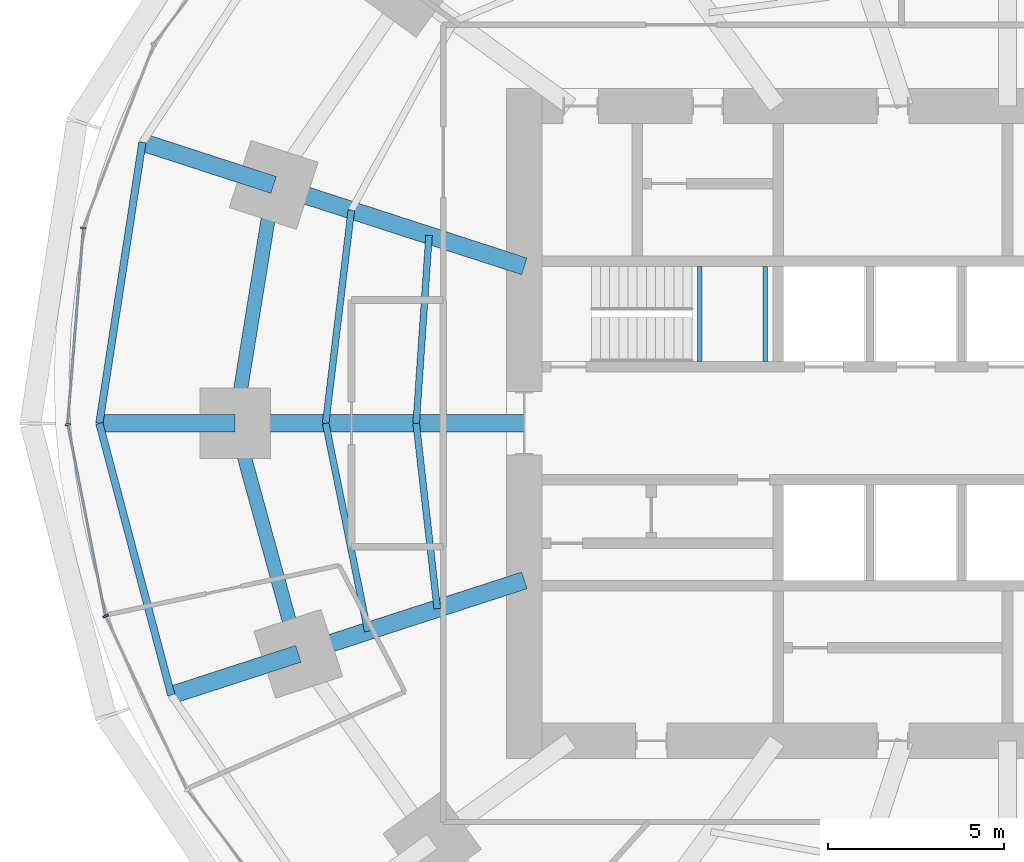
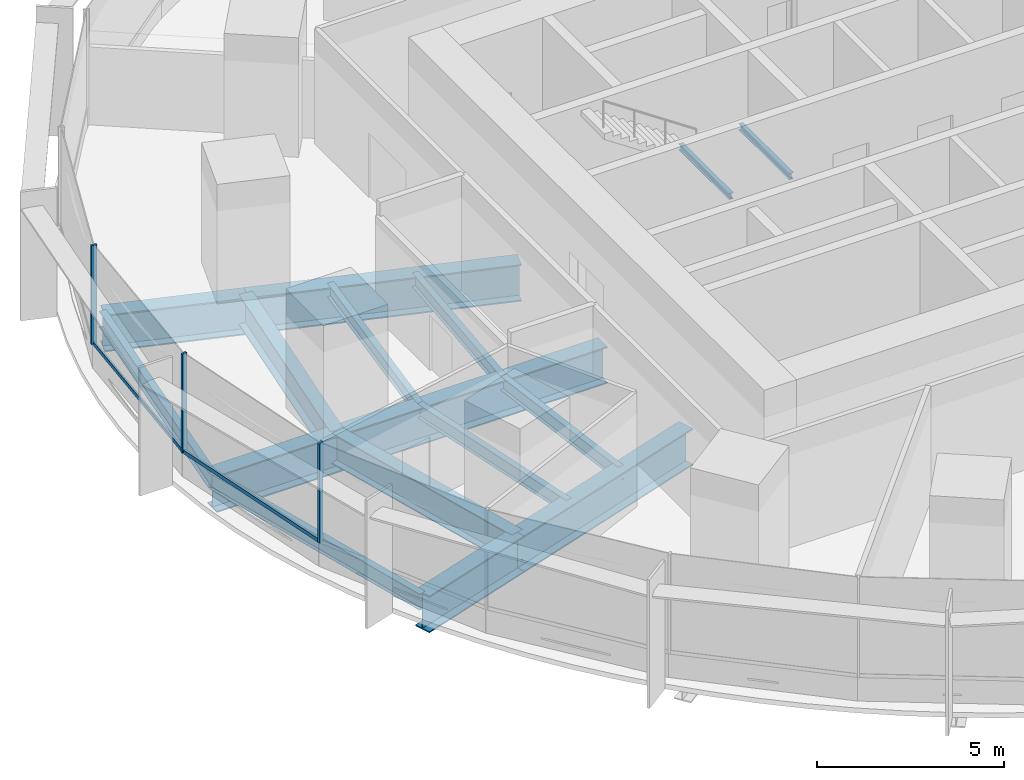
# One storey, part 4 of 15: 16 beams, 5 members, 2 elements without a shape of their own.
"""IFC4 building model written with IfcOpenShell, lengths in metres."""

from ifc_helpers import new_model, si_unit, direction, frame, origin, origin_2d, place, context, subcontext, project, spatial, rectangle, i_section, extrude, material, material_profile, profile_set, type_object, element, aggregate, save


model = new_model("IFC4")

# Units and contexts
model_context = context("Model", 3, precision=1e-05, world=origin(), true_north=direction((0.0, 1.0)))
body_context = subcontext(model_context, "Body", "Model", "MODEL_VIEW")
ifc_project = project(units=[si_unit("LENGTHUNIT", "METRE"), si_unit("AREAUNIT", "SQUARE_METRE"), si_unit("VOLUMEUNIT", "CUBIC_METRE"), si_unit("PLANEANGLEUNIT", "RADIAN"), si_unit("MASSUNIT", "GRAM", prefix="KILO")], contexts=[model_context])

# Site, building, storey
site_placement = place(None, origin())
site = spatial("IfcSite", under=ifc_project, at=site_placement, CompositionType="ELEMENT")
building_placement = place(site_placement, origin())
building = spatial("IfcBuilding", under=site, at=building_placement, Name="Marramba Exchange Tower", CompositionType="ELEMENT")
storey_placement = place(building_placement, frame((0.0, 0.0, 74.199951171875)))
storey = spatial("IfcBuildingStorey", under=building, at=storey_placement, Name="L17", CompositionType="ELEMENT", Elevation=74.199951171875)

# Beams
ifc_material_1 = material(Name="Steel AS/NZS 3679.2 grade 300", Category="steel")
ifc_material_profile_1 = material_profile(ifc_material_1, i_section(OverallWidth=0.5, OverallDepth=1.199951171875, WebThickness=0.01611328125, FlangeThickness=0.0400390625, at=origin_2d()), Name="1200WB455")
ifc_profile_set_1 = profile_set([ifc_material_profile_1], Name="Steel AS/NZS 3679.2 grade 300")
beam_type_1 = type_object("IfcBeamType", Name="Cantilever girder 1200WB455", PredefinedType="BEAM", material=ifc_profile_set_1)
beam_1_placement = place(storey_placement, frame((-20.808349609375, 6.760986328125, -0.760009765625), z_axis=(-0.951058833549, 0.309009862508, 0.0), x_axis=(-0.309009862508, -0.951058833549, 0.0)))
element("IfcBeam", 1, at=beam_1_placement, inside=storey, type_object=beam_type_1, Name="Cantilever girder L17 TC10", PredefinedType="BEAM", context=body_context, shape_type="SweptSolid", body=[
    extrude(i_section(OverallWidth=0.5, OverallDepth=1.199951171875, WebThickness=0.01611328125, FlangeThickness=0.0400390625, at=origin_2d()), origin(), (0.0, 0.0, 1.0), 3.91162109375),
])
beam_2_placement = place(storey_placement, frame((-21.89990234375, 0.0, -0.760009765625), z_axis=(-1.0, 0.0, 0.0), x_axis=(0.0, -1.0, 0.0)))
element("IfcBeam", 2, at=beam_2_placement, inside=storey, type_object=beam_type_1, Name="Cantilever girder L17 TC11", PredefinedType="BEAM", context=body_context, shape_type="SweptSolid", body=[
    extrude(i_section(OverallWidth=0.5, OverallDepth=1.199951171875, WebThickness=0.01611328125, FlangeThickness=0.0400390625, at=origin_2d()), origin(), (0.0, 0.0, 1.0), 3.85009765625),
])
beam_3_placement = place(storey_placement, frame((-20.109375, -6.533935546875, -0.760009765625), z_axis=(-0.951048759501, -0.309040866314, 0.0), x_axis=(0.309040866314, -0.951048759501, 0.0)))
element("IfcBeam", 3, at=beam_3_placement, inside=storey, type_object=beam_type_1, Name="Cantilever girder L17 TC12", PredefinedType="BEAM", context=body_context, shape_type="SweptSolid", body=[
    extrude(i_section(OverallWidth=0.5, OverallDepth=1.199951171875, WebThickness=0.01611328125, FlangeThickness=0.0400390625, at=origin_2d()), origin(), (0.0, 0.0, 1.0), 3.78564453125),
])
ifc_material_2 = material(Name="Steel AS/NZS 3679.1 grade 300", Category="steel")
ifc_material_profile_2 = material_profile(ifc_material_2, i_section(OverallWidth=0.18994140625, OverallDepth=0.4541015625, WebThickness=0.008544921875, FlangeThickness=0.0126953125, FilletRadius=0.011474609375, at=origin_2d()), Name="460UB67.1")
ifc_profile_set_2 = profile_set([ifc_material_profile_2], Name="Steel AS/NZS 3679.1 grade 300")
beam_type_2 = type_object("IfcBeamType", Name="Floor joist 460UB67.1", PredefinedType="JOIST", material=ifc_profile_set_2)
beam_4_placement = place(storey_placement, frame((-16.40283203125, 5.32958984375, -0.386962890625), z_axis=(-0.068096259546, -0.99767875563, 0.0), x_axis=(0.99767875563, -0.068096259546, 0.0)))
element("IfcBeam", 4, at=beam_4_placement, inside=storey, type_object=beam_type_2, Name="Joist L17 bay 10 row 1", PredefinedType="JOIST", context=body_context, shape_type="SweptSolid", body=[
    extrude(i_section(OverallWidth=0.18994140625, OverallDepth=0.4541015625, WebThickness=0.008544921875, FlangeThickness=0.0126953125, FilletRadius=0.011474609375, at=origin_2d()), origin(), (0.0, 0.0, 1.0), 5.342041015625),
])
beam_5_placement = place(storey_placement, frame((-18.60546875, 6.04541015625, -0.386962890625), z_axis=(-0.119523078538, -0.992831422597, 0.0), x_axis=(0.992831422597, -0.119523078538, 0.0)))
element("IfcBeam", 5, at=beam_5_placement, inside=storey, type_object=beam_type_2, Name="Joist L17 bay 10 row 2", PredefinedType="JOIST", context=body_context, shape_type="SweptSolid", body=[
    extrude(i_section(OverallWidth=0.18994140625, OverallDepth=0.4541015625, WebThickness=0.008544921875, FlangeThickness=0.0126953125, FilletRadius=0.011474609375, at=origin_2d()), origin(), (0.0, 0.0, 1.0), 6.089111328125),
])
beam_6_placement = place(storey_placement, frame((-16.7666015625, 0.0, -0.386962890625), z_axis=(0.112888968594, -0.993607609054, 0.0), x_axis=(0.993607609054, 0.112888968594, 0.0)))
element("IfcBeam", 6, at=beam_6_placement, inside=storey, type_object=beam_type_2, Name="Joist L17 bay 11 row 1", PredefinedType="JOIST", context=body_context, shape_type="SweptSolid", body=[
    extrude(i_section(OverallWidth=0.18994140625, OverallDepth=0.4541015625, WebThickness=0.008544921875, FlangeThickness=0.0126953125, FilletRadius=0.011474609375, at=origin_2d()), origin(), (0.0, 0.0, 1.0), 5.28759765625),
])
beam_7_placement = place(storey_placement, frame((-19.333251953125, 0.0, -0.386962890625), z_axis=(0.198489047047, -0.980103105904, 0.0), x_axis=(0.980103105904, 0.198489047047, 0.0)))
element("IfcBeam", 7, at=beam_7_placement, inside=storey, type_object=beam_type_2, Name="Joist L17 bay 11 row 2", PredefinedType="JOIST", context=body_context, shape_type="SweptSolid", body=[
    extrude(i_section(OverallWidth=0.18994140625, OverallDepth=0.4541015625, WebThickness=0.008544921875, FlangeThickness=0.0126953125, FilletRadius=0.011474609375, at=origin_2d()), origin(), (0.0, 0.0, 1.0), 6.013427734375),
])
ifc_material_profile_3 = material_profile(ifc_material_1, i_section(OverallWidth=0.5, OverallDepth=1.199951171875, WebThickness=0.01611328125, FlangeThickness=0.0400390625, at=origin_2d()), Name="1200WB455")
ifc_profile_set_3 = profile_set([ifc_material_profile_3], Name="Steel AS/NZS 3679.2 grade 300")
beam_type_3 = type_object("IfcBeamType", Name="Radial girder 1200WB455", PredefinedType="BEAM", material=ifc_profile_set_3)
beam_8_placement = place(storey_placement, frame((-13.699951171875, 4.451416015625, -0.760009765625), z_axis=(-0.951059990189, 0.309006302624, 0.0), x_axis=(-0.309006302624, -0.951059990189, 0.0)))
element("IfcBeam", 8, at=beam_8_placement, inside=storey, type_object=beam_type_3, Name="Radial girder L17 TC10", PredefinedType="BEAM", context=body_context, shape_type="SweptSolid", body=[
    extrude(i_section(OverallWidth=0.5, OverallDepth=1.199951171875, WebThickness=0.01611328125, FlangeThickness=0.0400390625, at=origin_2d()), origin(), (0.0, 0.0, 1.0), 7.47412109375),
])
beam_9_placement = place(storey_placement, frame((-13.699951171875, 0.0, -0.760009765625), z_axis=(-1.0, 0.0, 0.0), x_axis=(0.0, -1.0, 0.0)))
element("IfcBeam", 9, at=beam_9_placement, inside=storey, type_object=beam_type_3, Name="Radial girder L17 TC11", PredefinedType="BEAM", context=body_context, shape_type="SweptSolid", body=[
    extrude(i_section(OverallWidth=0.5, OverallDepth=1.199951171875, WebThickness=0.01611328125, FlangeThickness=0.0400390625, at=origin_2d()), origin(), (0.0, 0.0, 1.0), 8.199951171875),
])
beam_10_placement = place(storey_placement, frame((-13.699951171875, -4.451416015625, -0.760009765625), z_axis=(-0.951057759669, -0.309013167637, 0.0), x_axis=(0.309013167637, -0.951057759669, 0.0)))
element("IfcBeam", 10, at=beam_10_placement, inside=storey, type_object=beam_type_3, Name="Radial girder L17 TC12", PredefinedType="BEAM", context=body_context, shape_type="SweptSolid", body=[
    extrude(i_section(OverallWidth=0.5, OverallDepth=1.199951171875, WebThickness=0.01611328125, FlangeThickness=0.0400390625, at=origin_2d()), origin(), (0.0, 0.0, 1.0), 6.7392578125),
])
ifc_material_profile_4 = material_profile(ifc_material_1, i_section(OverallWidth=0.39990234375, OverallDepth=1.0, WebThickness=0.01611328125, FlangeThickness=0.031982421875, at=origin_2d()), Name="1000WB322")
ifc_profile_set_4 = profile_set([ifc_material_profile_4], Name="Steel AS/NZS 3679.2 grade 300")
beam_type_4 = type_object("IfcBeamType", Name="Ring beam 1000WB322", PredefinedType="SPANDREL", material=ifc_profile_set_4)
beam_11_placement = place(storey_placement, frame((-20.808349609375, 6.760986328125, -0.659912109375), z_axis=(-0.159384865399, -0.987216523708, 0.0), x_axis=(0.987216523708, -0.159384865399, 0.0)))
element("IfcBeam", 11, at=beam_11_placement, inside=storey, type_object=beam_type_4, Name="Ring beam L17 TC10-TC11", PredefinedType="SPANDREL", context=body_context, shape_type="SweptSolid", body=[
    extrude(i_section(OverallWidth=0.39990234375, OverallDepth=1.0, WebThickness=0.01611328125, FlangeThickness=0.031982421875, at=origin_2d()), origin(), (0.0, 0.0, 1.0), 6.8486328125),
])
beam_12_placement = place(storey_placement, frame((-21.89990234375, 0.0, -0.659912109375), z_axis=(0.264291166956, -0.964442937176, 0.0), x_axis=(0.964442937176, 0.264291166956, 0.0)))
element("IfcBeam", 12, at=beam_12_placement, inside=storey, type_object=beam_type_4, Name="Ring beam L17 TC11-TC12", PredefinedType="SPANDREL", context=body_context, shape_type="SweptSolid", body=[
    extrude(i_section(OverallWidth=0.39990234375, OverallDepth=1.0, WebThickness=0.01611328125, FlangeThickness=0.031982421875, at=origin_2d()), origin(), (0.0, 0.0, 1.0), 6.77490234375),
])
ifc_material_profile_5 = material_profile(ifc_material_2, i_section(OverallWidth=0.208984375, OverallDepth=0.528076171875, WebThickness=0.009521484375, FlangeThickness=0.01318359375, FilletRadius=0.013916015625, at=origin_2d()), Name="530UB82.0")
ifc_profile_set_5 = profile_set([ifc_material_profile_5], Name="Steel AS/NZS 3679.1 grade 300")
beam_type_5 = type_object("IfcBeamType", Name="Slab edge beam 530UB82.0", PredefinedType="SPANDREL", material=ifc_profile_set_5)
beam_13_placement = place(storey_placement, frame((-24.528564453125, 7.9697265625, -0.424072265625), z_axis=(-0.151490591645, -0.988458699513, 0.0), x_axis=(0.988458699513, -0.151490591645, 0.0)))
element("IfcBeam", 13, at=beam_13_placement, inside=storey, type_object=beam_type_5, Name="Slab edge beam L17 TC10-TC11", PredefinedType="SPANDREL", context=body_context, shape_type="SweptSolid", body=[
    extrude(i_section(OverallWidth=0.208984375, OverallDepth=0.528076171875, WebThickness=0.009521484375, FlangeThickness=0.01318359375, FilletRadius=0.013916015625, at=origin_2d()), origin(), (0.0, 0.0, 1.0), 8.062744140625),
])
beam_14_placement = place(storey_placement, frame((-25.75, 0.0, -0.424072265625), z_axis=(0.25601296674, -0.966673347549, 0.0), x_axis=(0.966673347549, 0.25601296674, 0.0)))
element("IfcBeam", 14, at=beam_14_placement, inside=storey, type_object=beam_type_5, Name="Slab edge beam L17 TC11-TC12", PredefinedType="SPANDREL", context=body_context, shape_type="SweptSolid", body=[
    extrude(i_section(OverallWidth=0.208984375, OverallDepth=0.528076171875, WebThickness=0.009521484375, FlangeThickness=0.01318359375, FilletRadius=0.013916015625, at=origin_2d()), origin(), (0.0, 0.0, 1.0), 7.969482421875),
])
ifc_material_profile_6 = material_profile(ifc_material_2, i_section(OverallWidth=0.133056640625, OverallDepth=0.202880859375, WebThickness=0.005859375, FlangeThickness=0.0078125, FilletRadius=0.0087890625, at=origin_2d()), Name="200UB25.4")
ifc_profile_set_6 = profile_set([ifc_material_profile_6], Name="Steel AS/NZS 3679.1 grade 300")
beam_type_6 = type_object("IfcBeamType", Name="Stair landing beam 200UB25.4", PredefinedType="BEAM", material=ifc_profile_set_6)
for number, where, z_axis, x_axis, name in (
    (15, (-8.723388671875, 1.75, 1.798583984375), (0.0, 1.0, 0.0), (-1.0, 0.0, 0.0), "Stair landing beam SLB1 ST1 L17 1"),
    (16, (-6.866455078125, 1.75, 1.798583984375), (0.0, 1.0, 0.0), (-1.0, 0.0, 0.0), "Stair landing beam SLB1 ST1 L17 2"),
):
    element("IfcBeam", number, at=place(storey_placement, frame(where, z_axis=z_axis, x_axis=x_axis)), inside=storey, type_object=beam_type_6, Name=name, PredefinedType="BEAM", context=body_context, shape_type="SweptSolid", body=[
        extrude(i_section(OverallWidth=0.133056640625, OverallDepth=0.202880859375, WebThickness=0.005859375, FlangeThickness=0.0078125, FilletRadius=0.0087890625, at=origin_2d()), origin(), (0.0, 0.0, 1.0), 2.699951171875),
    ])

# Curtain wall, member
ifc_material_3 = material(Name="Aluminium framing, bronze anodised", Category="aluminium")
curtain_wall_type = type_object("IfcCurtainWallType", Name="Trading floor ribbon curtain wall", PredefinedType="USERDEFINED", material=ifc_material_3)
curtain_wall_1_placement = place(storey_placement, origin())
curtain_wall_1 = element("IfcCurtainWall", 17, at=curtain_wall_1_placement, inside=storey, type_object=curtain_wall_type, Name="Curtain wall CW3 L17 F11-F15", ObjectType="RIBBON CURTAIN WALL", PredefinedType="USERDEFINED")
ifc_material_4 = material(Name="Aluminium mullion, bronze anodised", Category="aluminium")
ifc_material_profile_7 = material_profile(ifc_material_4, rectangle(XDim=0.159912109375, YDim=0.06005859375, at=origin_2d()), Name="CW3 mullion 60x160")
ifc_profile_set_7 = profile_set([ifc_material_profile_7], Name="Aluminium mullion, bronze anodised")
member_type_1 = type_object("IfcMemberType", Name="Trading floor ribbon curtain wall mullion", PredefinedType="MULLION", material=ifc_profile_set_7)
member_1_placement = place(storey_placement, frame((-26.203857421875, 5.539306640625, 0.800048828125), z_axis=(0.0, 0.0, 1.0), x_axis=(0.996772736434, -0.080275225953, 0.0)))
member_1 = element("IfcMember", 18, at=member_1_placement, type_object=member_type_1, Name="CW3 mullion 1", PredefinedType="MULLION", context=body_context, shape_type="SweptSolid", body=[
    extrude(rectangle(XDim=0.159912109375, YDim=0.06005859375, at=origin_2d()), origin(), (0.0, 0.0, 1.0), 3.239990234375),
])

# Curtain wall, members
curtain_wall_2_placement = place(storey_placement, origin())
curtain_wall_2 = element("IfcCurtainWall", 19, at=curtain_wall_2_placement, inside=storey, type_object=curtain_wall_type, Name="Curtain wall CW3 L17 F16-F20", ObjectType="RIBBON CURTAIN WALL", PredefinedType="USERDEFINED")
member_2_placement = place(storey_placement, frame((-26.644287109375, -0.029541015625, 0.800048828125), z_axis=(0.0, 0.0, 1.0), x_axis=(0.981346261612, 0.1922485756, 0.0)))
member_2 = element("IfcMember", 20, at=member_2_placement, type_object=member_type_1, Name="CW3 mullion 1", PredefinedType="MULLION", context=body_context, shape_type="SweptSolid", body=[
    extrude(rectangle(XDim=0.159912109375, YDim=0.06005859375, at=origin_2d()), origin(), (0.0, 0.0, 1.0), 3.239990234375),
])
member_3_placement = place(storey_placement, frame((-25.572021484375, -5.46533203125, 0.800048828125), z_axis=(0.0, 0.0, 1.0), x_axis=(0.905906758768, 0.423477206492, 0.0)))
member_3 = element("IfcMember", 21, at=member_3_placement, type_object=member_type_1, Name="CW3 mullion 1", PredefinedType="MULLION", context=body_context, shape_type="SweptSolid", body=[
    extrude(rectangle(XDim=0.159912109375, YDim=0.06005859375, at=origin_2d()), origin(), (0.0, 0.0, 1.0), 3.239990234375),
])

# Member
ifc_material_5 = material(Name="Aluminium transom, bronze anodised", Category="aluminium")
ifc_material_profile_8 = material_profile(ifc_material_5, rectangle(XDim=0.06005859375, YDim=0.1201171875, at=origin_2d()), Name="CW3 transom 60x120")
ifc_profile_set_8 = profile_set([ifc_material_profile_8], Name="Aluminium transom, bronze anodised")
member_type_2 = type_object("IfcMemberType", Name="Trading floor ribbon curtain wall transom", PredefinedType="USERDEFINED", material=ifc_profile_set_8)
member_4_placement = place(storey_placement, frame((-26.206298828125, 5.509521484375, 0.830078125), z_axis=(-0.080256075865, -0.996774278504, 0.0), x_axis=(0.996774278504, -0.080256075865, 0.0)))
member_4 = element("IfcMember", 22, at=member_4_placement, type_object=member_type_2, Name="CW3 sill transom", ObjectType="TRANSOM", PredefinedType="USERDEFINED", context=body_context, shape_type="SweptSolid", body=[
    extrude(rectangle(XDim=0.06005859375, YDim=0.1201171875, at=origin_2d()), origin(), (0.0, 0.0, 1.0), 5.52734375),
])

aggregate(curtain_wall_1, [member_1, member_4])

member_5_placement = place(storey_placement, frame((-26.638427734375, -0.058837890625, 0.830078125), z_axis=(0.192226081646, -0.981350667975, 0.0), x_axis=(0.981350667975, 0.192226081646, 0.0)))
member_5 = element("IfcMember", 23, at=member_5_placement, type_object=member_type_2, Name="CW3 sill transom", ObjectType="TRANSOM", PredefinedType="USERDEFINED", context=body_context, shape_type="SweptSolid", body=[
    extrude(rectangle(XDim=0.06005859375, YDim=0.1201171875, at=origin_2d()), origin(), (0.0, 0.0, 1.0), 5.481689453125),
])

aggregate(curtain_wall_2, [member_2, member_5, member_3])

save(model, "model.ifc")
